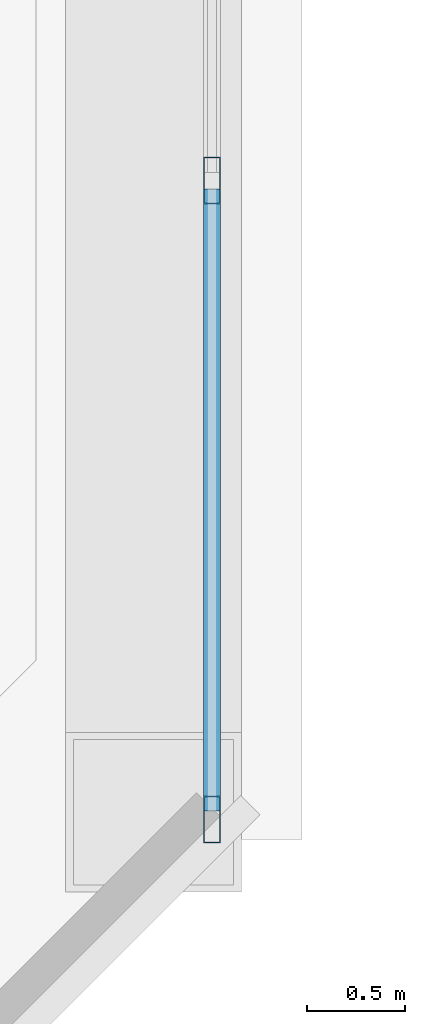
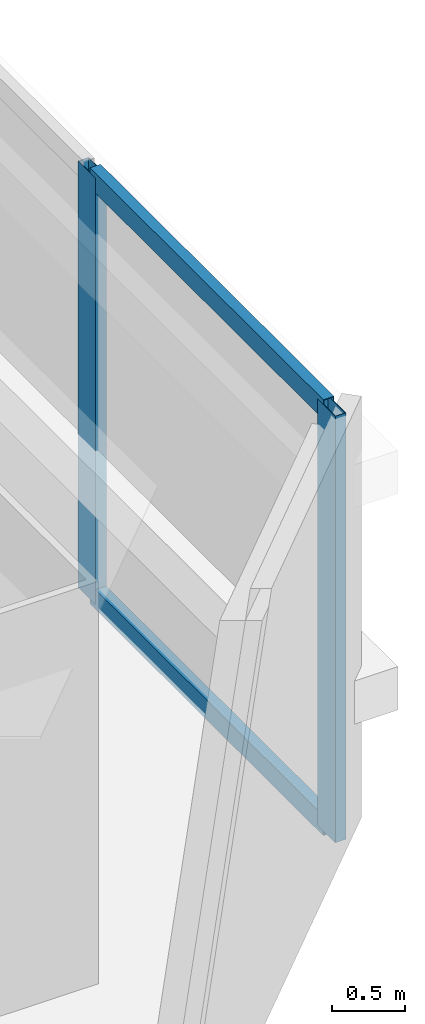
# One storey, part 13 of 75: 4 members, 1 element without a shape of its own.
"""IFC4 building model written with IfcOpenShell, lengths in metres."""

from ifc_helpers import new_model, si_unit, direction, frame, origin, origin_2d, place, context, subcontext, project, spatial, hollow_rectangle, extrude, material, material_profile, profile_set, type_object, element, aggregate, save


model = new_model("IFC4")

# Units and contexts
model_context = context("Model", 3, precision=1e-05, world=origin(), true_north=direction((0.0, 1.0)))
body_context = subcontext(model_context, "Body", "Model", "MODEL_VIEW")
ifc_project = project(units=[si_unit("LENGTHUNIT", "METRE"), si_unit("AREAUNIT", "SQUARE_METRE"), si_unit("VOLUMEUNIT", "CUBIC_METRE"), si_unit("PLANEANGLEUNIT", "RADIAN"), si_unit("MASSUNIT", "GRAM", prefix="KILO")], contexts=[model_context])

# Site, building, storey
site_placement = place(None, origin())
site = spatial("IfcSite", under=ifc_project, at=site_placement, CompositionType="ELEMENT")
building_placement = place(site_placement, origin())
building = spatial("IfcBuilding", under=site, at=building_placement, Name="Tashvorn Skyway Center", CompositionType="ELEMENT")
storey_placement = place(building_placement, frame((0.0, 0.0, 45.89990234375)))
storey = spatial("IfcBuildingStorey", under=building, at=storey_placement, Name="L11", CompositionType="ELEMENT", Elevation=45.89990234375)

# Curtain wall, members
ifc_material = material(Name="Thermally broken bronze-anodized aluminium 6063-T6", Category="aluminium")
curtain_wall_type = type_object("IfcCurtainWallType", Name="CW-CW-Z1", PredefinedType="NOTDEFINED", material=ifc_material)
curtain_wall_placement = place(storey_placement, origin())
curtain_wall = element("IfcCurtainWall", 1, at=curtain_wall_placement, inside=storey, type_object=curtain_wall_type, Name="Tower 1 L11 East Unitised Curtain Wall Glazing Group 3", PredefinedType="NOTDEFINED")
ifc_material_profile_1 = material_profile(ifc_material, hollow_rectangle(XDim=0.0849609375, YDim=0.239990234375, WallThickness=0.0048828125, at=origin_2d()), Name="ALU-MULL-85x240")
ifc_profile_set_1 = profile_set([ifc_material_profile_1], Name="Thermally broken bronze-anodized aluminium 6063-T6")
member_type_1 = type_object("IfcMemberType", Name="CWM-CW-Z1", PredefinedType="MULLION", material=ifc_profile_set_1)
member_1_placement = place(storey_placement, frame((64.8798828125, 15.433349609375, 0.0), z_axis=(0.0, 0.0, 1.0), x_axis=(1.0, 0.0, 0.0)))
member_1 = element("IfcMember", 2, at=member_1_placement, type_object=member_type_1, Name="CW-Z1 mullion 2", PredefinedType="MULLION", context=body_context, shape_type="SweptSolid", body=[
    extrude(hollow_rectangle(XDim=0.0849609375, YDim=0.239990234375, WallThickness=0.0048828125, at=origin_2d()), origin(), (0.0, 0.0, 1.0), 3.550048828125),
])
member_2_placement = place(storey_placement, frame((64.8798828125, 12.16259765625, 0.0), z_axis=(0.0, 0.0, 1.0), x_axis=(1.0, 0.0, 0.0)))
member_2 = element("IfcMember", 3, at=member_2_placement, type_object=member_type_1, Name="CW-Z1 mullion 3", PredefinedType="MULLION", context=body_context, shape_type="SweptSolid", body=[
    extrude(hollow_rectangle(XDim=0.0849609375, YDim=0.239990234375, WallThickness=0.0048828125, at=origin_2d()), origin(), (0.0, 0.0, 1.0), 3.550048828125),
])
ifc_material_profile_2 = material_profile(ifc_material, hollow_rectangle(XDim=0.0849609375, YDim=0.1650390625, WallThickness=0.0048828125, at=origin_2d()), Name="ALU-TRAN-85x165")
ifc_profile_set_2 = profile_set([ifc_material_profile_2], Name="Thermally broken bronze-anodized aluminium 6063-T6")
member_type_2 = type_object("IfcMemberType", Name="CWT-CW-Z1", PredefinedType="USERDEFINED", material=ifc_profile_set_2)
member_3_placement = place(storey_placement, frame((64.8798828125, 15.390869140625, 0.04248046875), z_axis=(0.0, -1.0, 0.0), x_axis=(1.0, 0.0, 0.0)))
member_3 = element("IfcMember", 4, at=member_3_placement, type_object=member_type_2, Name="CW-Z1 transom 2.1", ObjectType="TRANSOM", PredefinedType="USERDEFINED", context=body_context, shape_type="SweptSolid", body=[
    extrude(hollow_rectangle(XDim=0.0849609375, YDim=0.1650390625, WallThickness=0.0048828125, at=origin_2d()), origin(), (0.0, 0.0, 1.0), 3.185791015625),
])
member_4_placement = place(storey_placement, frame((64.8798828125, 15.390869140625, 3.507568359375), z_axis=(0.0, -1.0, 0.0), x_axis=(1.0, 0.0, 0.0)))
member_4 = element("IfcMember", 5, at=member_4_placement, type_object=member_type_2, Name="CW-Z1 transom 2.2", ObjectType="TRANSOM", PredefinedType="USERDEFINED", context=body_context, shape_type="SweptSolid", body=[
    extrude(hollow_rectangle(XDim=0.0849609375, YDim=0.1650390625, WallThickness=0.0048828125, at=origin_2d()), origin(), (0.0, 0.0, 1.0), 3.185791015625),
])
aggregate(curtain_wall, [member_1, member_2, member_3, member_4])

save(model, "model.ifc")
